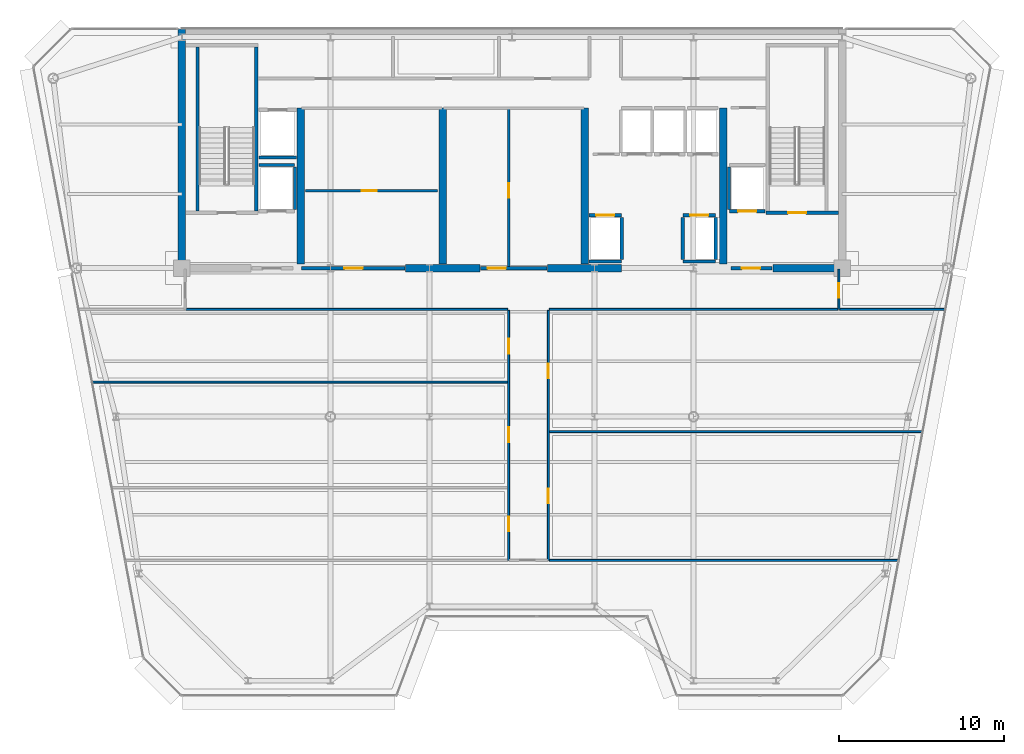
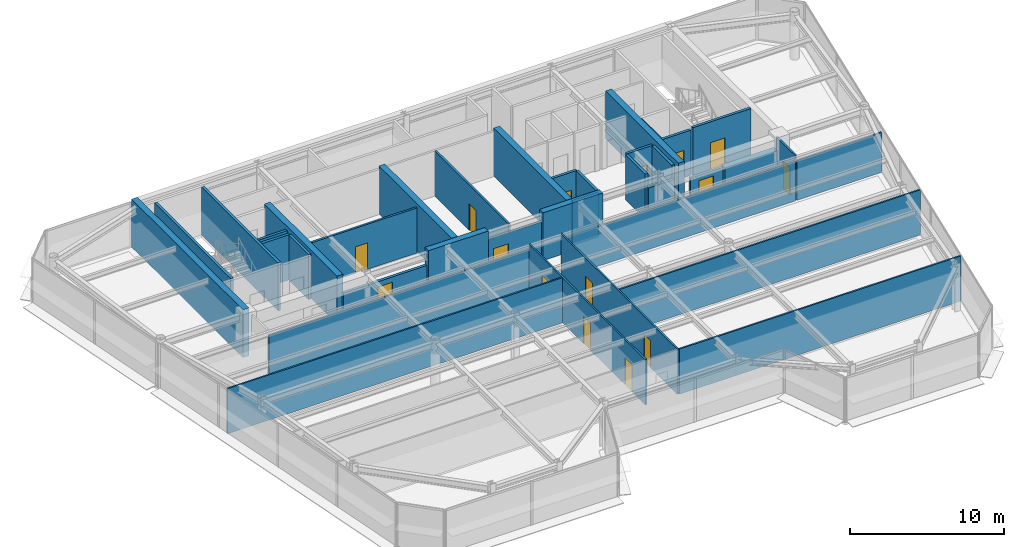
# One storey, part 10 of 18: 37 walls, 15 doors, 15 openings.
"""IFC4 building model written with IfcOpenShell, lengths in metres."""

from ifc_helpers import new_model, si_unit, direction, frame, frame_2d, origin, place, context, subcontext, project, spatial, rectangle, extrude, source, transform, mapped, material, layer, layer_set, type_object, element, fill, save


model = new_model("IFC4")

# Units and contexts
model_context = context("Model", 3, precision=1e-05, world=origin(), true_north=direction((0.0, 1.0)))
body_context = subcontext(model_context, "Body", "Model", "MODEL_VIEW")
ifc_project = project(units=[si_unit("LENGTHUNIT", "METRE"), si_unit("AREAUNIT", "SQUARE_METRE"), si_unit("VOLUMEUNIT", "CUBIC_METRE"), si_unit("PLANEANGLEUNIT", "RADIAN"), si_unit("MASSUNIT", "GRAM", prefix="KILO")], contexts=[model_context])

# Site, building, storey
site_placement = place(None, origin())
site = spatial("IfcSite", under=ifc_project, at=site_placement, CompositionType="ELEMENT")
building_placement = place(site_placement, origin())
building = spatial("IfcBuilding", under=site, at=building_placement, Name="Vaeldorn Concourse Tower", CompositionType="ELEMENT")
storey_placement = place(building_placement, frame((0.0, 0.0, 257.39990234375)))
storey = spatial("IfcBuildingStorey", under=building, at=storey_placement, Name="L66", CompositionType="ELEMENT", Elevation=257.39990234375)

# Walls
ifc_material_1 = material(Name="Concrete C50/60", Category="concrete")
ifc_layer_1 = layer(ifc_material_1, 0.449951171875)
ifc_layer_set_1 = layer_set([ifc_layer_1], Name="Concrete C50/60")
wall_type_1 = type_object("IfcWallType", Name="WL-CORE-450", PredefinedType="SHEAR", material=ifc_layer_set_1)
wall_1_placement = place(storey_placement, frame((14.0, 36.5, 0.0), z_axis=(0.0, 0.0, 1.0), x_axis=(0.0, 1.0, 0.0)))
element("IfcWall", 1, at=wall_1_placement, inside=storey, type_object=wall_type_1, Name="Rear Core Shear Wall L66 W1", PredefinedType="SHEAR", context=body_context, shape_type="SweptSolid", body=[
    extrude(rectangle(XDim=14.5, YDim=0.449951171875, at=frame_2d((7.25, 0.0))), origin(), (0.0, 0.0, 1.0), 3.800048828125),
])
for number, where, z_axis, x_axis, name in (
    (2, (27.550048828125, 36.5, 0.0), (0.0, 0.0, 1.0), (1.0, 0.0, 0.0), "Rear Core Shear Wall L66 S2"),
    (3, (36.14990234375, 36.5, 0.0), (0.0, 0.0, 1.0), (1.0, 0.0, 0.0), "Rear Core Shear Wall L66 S3"),
):
    element("IfcWall", number, at=place(storey_placement, frame(where, z_axis=z_axis, x_axis=x_axis)), inside=storey, type_object=wall_type_1, Name=name, PredefinedType="SHEAR", context=body_context, shape_type="SweptSolid", body=[
        extrude(rectangle(XDim=4.5, YDim=0.449951171875, at=frame_2d((2.25, 0.0))), origin(), (0.0, 0.0, 1.0), 3.800048828125),
    ])
wall_2_placement = place(storey_placement, frame((49.800048828125, 36.5, 0.0), z_axis=(0.0, 0.0, 1.0), x_axis=(1.0, 0.0, 0.0)))
element("IfcWall", 4, at=wall_2_placement, inside=storey, type_object=wall_type_1, Name="Rear Core Shear Wall L66 S4", PredefinedType="SHEAR", context=body_context, shape_type="SweptSolid", body=[
    extrude(rectangle(XDim=3.954833984375, YDim=0.449951171875, at=frame_2d((1.9775390625, 0.0))), origin(), (0.0, 0.0, 1.0), 2.580078125),
])
for number, where, z_axis, x_axis, name in (
    (5, (21.199951171875, 36.7451171875, 0.0), (0.0, 0.0, 1.0), (0.0, 1.0, 0.0), "Rear Core Shear Wall L66 M1"),
    (6, (29.800048828125, 36.7451171875, 0.0), (0.0, 0.0, 1.0), (0.0, 1.0, 0.0), "Rear Core Shear Wall L66 M2"),
    (7, (38.39990234375, 36.7451171875, 0.0), (0.0, 0.0, 1.0), (0.0, 1.0, 0.0), "Rear Core Shear Wall L66 M3"),
    (8, (46.800048828125, 36.7451171875, 0.0), (0.0, 0.0, 1.0), (0.0, 1.0, 0.0), "Rear Core Shear Wall L66 M4"),
):
    element("IfcWall", number, at=place(storey_placement, frame(where, z_axis=z_axis, x_axis=x_axis)), inside=storey, type_object=wall_type_1, Name=name, PredefinedType="SHEAR", context=body_context, shape_type="SweptSolid", body=[
        extrude(rectangle(XDim=9.454833984375, YDim=0.449951171875, at=frame_2d((4.7275390625, 0.0))), origin(), (0.0, 0.0, 1.0), 3.800048828125),
    ])
ifc_material_2 = material(Name="Gypsum Board Partition", Category="gypsum")
ifc_layer_2 = layer(ifc_material_2, 0.1201171875)
ifc_layer_set_2 = layer_set([ifc_layer_2], Name="Gypsum Board Partition")
wall_type_2 = type_object("IfcWallType", Name="WL-PART-120", PredefinedType="PARTITIONING", material=ifc_layer_set_2)
wall_3_placement = place(storey_placement, frame((14.260009765625, 34.0, 0.0), z_axis=(0.0, 0.0, 1.0), x_axis=(1.0, 0.0, 0.0)))
element("IfcWall", 9, at=wall_3_placement, inside=storey, type_object=wall_type_2, Name="Interior Wall PW-L66-C3SW", PredefinedType="PARTITIONING", context=body_context, shape_type="SweptSolid", body=[
    extrude(rectangle(XDim=19.47998046875, YDim=0.1201171875, at=frame_2d((9.739990234375, 0.0))), origin(), (0.0, 0.0, 1.0), 3.170166015625),
])
wall_4_placement = place(storey_placement, frame((36.260009765625, 34.0, 0.0), z_axis=(0.0, 0.0, 1.0), x_axis=(1.0, 0.0, 0.0)))
element("IfcWall", 10, at=wall_4_placement, inside=storey, type_object=wall_type_2, Name="Interior Wall PW-L66-C3SE", PredefinedType="PARTITIONING", context=body_context, shape_type="SweptSolid", body=[
    extrude(rectangle(XDim=17.47998046875, YDim=0.1201171875, at=frame_2d((8.739990234375, 0.0))), origin(), (0.0, 0.0, 1.0), 3.170166015625),
])

# Wall, opening, door
wall_5_placement = place(storey_placement, frame((53.800048828125, 34.0, 0.0), z_axis=(0.0, 0.0, 1.0), x_axis=(0.0, 1.0, 0.0)))
wall_5 = element("IfcWall", 11, at=wall_5_placement, inside=storey, type_object=wall_type_2, Name="Interior Wall PW-L66-C3E", PredefinedType="PARTITIONING", context=body_context, shape_type="SweptSolid", body=[
    extrude(rectangle(XDim=2.43994140625, YDim=0.1201171875, at=frame_2d((1.219970703125, 0.0))), origin(), (0.0, 0.0, 1.0), 3.580078125),
])
opening_1_placement = place(wall_5_placement, frame((0.699951171875, 0.0, 0.0)))
opening_1 = element("IfcOpeningElement", 12, at=opening_1_placement, cuts=wall_5, Name="Opening D-03", PredefinedType="OPENING", context=body_context, shape_type="SweptSolid", body=[
    extrude(rectangle(XDim=0.89990234375, YDim=2.14990234375, at=frame_2d((0.449951171875, 1.074951171875))), frame((0.0, 0.070068359375, 0.0), z_axis=(0.0, -1.0, 0.0), x_axis=(1.0, 0.0, 0.0)), (0.0, 0.0, 1.0), 0.14013671875),
])
ifc_material_3 = material(Name="Acoustic Bronze-Framed Glass Door", Category="glass")
door_type_1 = type_object("IfcDoorType", Name="DR-INT-900", OperationType="NOTDEFINED", PredefinedType="DOOR", material=ifc_material_3)
shared_shape_1 = source(origin(), body_context, "Body", "SweptSolid", [
    extrude(rectangle(XDim=0.89990234375, YDim=2.14990234375, at=frame_2d((0.449951171875, 1.074951171875))), frame((0.0, 0.02490234375, 0.0), z_axis=(0.0, -1.0, 0.0), x_axis=(1.0, 0.0, 0.0)), (0.0, 0.0, 1.0), 0.050048828125),
])
door_1_placement = place(opening_1_placement, origin())
door_1 = element("IfcDoor", 13, at=door_1_placement, inside=storey, type_object=door_type_1, Name="Interior Door DR-L66-Z3NE", OperationType="SINGLE_SWING_RIGHT", OverallHeight=2.14990234375, OverallWidth=0.89990234375, PredefinedType="DOOR", context=body_context, shape_type="MappedRepresentation", body=[
    mapped(shared_shape_1, transform((0.0, 0.0, 0.0), scale=1.0)),
])
fill(opening_1, door_1)

# Wall, openings, doors
wall_6_placement = place(storey_placement, frame((33.800048828125, 18.800048828125, 0.0), z_axis=(0.0, 0.0, 1.0), x_axis=(0.0, 1.0, 0.0)))
wall_6 = element("IfcWall", 14, at=wall_6_placement, inside=storey, type_object=wall_type_2, Name="Interior Wall PW-L66-CSPW", PredefinedType="PARTITIONING", context=body_context, shape_type="SweptSolid", body=[
    extrude(rectangle(XDim=15.139892578125, YDim=0.1201171875, at=frame_2d((7.56982421875, 0.0))), origin(), (0.0, 0.0, 1.0), 3.580078125),
])
opening_2_placement = place(wall_6_placement, frame((1.75, 0.0, 0.0)))
opening_2 = element("IfcOpeningElement", 15, at=opening_2_placement, cuts=wall_6, Name="Opening D-03", PredefinedType="OPENING", context=body_context, shape_type="SweptSolid", body=[
    extrude(rectangle(XDim=0.89990234375, YDim=2.14990234375, at=frame_2d((0.449951171875, 1.074951171875))), frame((0.0, 0.070068359375, 0.0), z_axis=(0.0, -1.0, 0.0), x_axis=(1.0, 0.0, 0.0)), (0.0, 0.0, 1.0), 0.14013671875),
])
opening_3_placement = place(wall_6_placement, frame((7.14990234375, 0.0, 0.0)))
opening_3 = element("IfcOpeningElement", 16, at=opening_3_placement, cuts=wall_6, Name="Opening D-03", PredefinedType="OPENING", context=body_context, shape_type="SweptSolid", body=[
    extrude(rectangle(XDim=0.89990234375, YDim=2.14990234375, at=frame_2d((0.449951171875, 1.074951171875))), frame((0.0, 0.070068359375, 0.0), z_axis=(0.0, -1.0, 0.0), x_axis=(1.0, 0.0, 0.0)), (0.0, 0.0, 1.0), 0.14013671875),
])
opening_4_placement = place(wall_6_placement, frame((12.52001953125, 0.0, 0.0)))
opening_4 = element("IfcOpeningElement", 17, at=opening_4_placement, cuts=wall_6, Name="Opening D-03", PredefinedType="OPENING", context=body_context, shape_type="SweptSolid", body=[
    extrude(rectangle(XDim=0.89990234375, YDim=2.14990234375, at=frame_2d((0.449951171875, 1.074951171875))), frame((0.0, 0.070068359375, 0.0), z_axis=(0.0, -1.0, 0.0), x_axis=(1.0, 0.0, 0.0)), (0.0, 0.0, 1.0), 0.14013671875),
])
door_2_placement = place(opening_2_placement, origin())
door_2 = element("IfcDoor", 18, at=door_2_placement, inside=storey, type_object=door_type_1, Name="Interior Door DR-L66-Z3W1", OperationType="SINGLE_SWING_LEFT", OverallHeight=2.14990234375, OverallWidth=0.89990234375, PredefinedType="DOOR", context=body_context, shape_type="MappedRepresentation", body=[
    mapped(shared_shape_1, transform((0.0, 0.0, 0.0), scale=1.0)),
])
fill(opening_2, door_2)
door_3_placement = place(opening_3_placement, origin())
door_3 = element("IfcDoor", 19, at=door_3_placement, inside=storey, type_object=door_type_1, Name="Interior Door DR-L66-Z3W2", OperationType="SINGLE_SWING_RIGHT", OverallHeight=2.14990234375, OverallWidth=0.89990234375, PredefinedType="DOOR", context=body_context, shape_type="MappedRepresentation", body=[
    mapped(shared_shape_1, transform((0.0, 0.0, 0.0), scale=1.0)),
])
fill(opening_3, door_3)
door_4_placement = place(opening_4_placement, origin())
door_4 = element("IfcDoor", 20, at=door_4_placement, inside=storey, type_object=door_type_1, Name="Interior Door DR-L66-Z3W3", OperationType="SINGLE_SWING_LEFT", OverallHeight=2.14990234375, OverallWidth=0.89990234375, PredefinedType="DOOR", context=body_context, shape_type="MappedRepresentation", body=[
    mapped(shared_shape_1, transform((0.0, 0.0, 0.0), scale=1.0)),
])
fill(opening_4, door_4)

wall_7_placement = place(storey_placement, frame((36.199951171875, 18.800048828125, 0.0), z_axis=(0.0, 0.0, 1.0), x_axis=(0.0, 1.0, 0.0)))
wall_7 = element("IfcWall", 21, at=wall_7_placement, inside=storey, type_object=wall_type_2, Name="Interior Wall PW-L66-CSPE", PredefinedType="PARTITIONING", context=body_context, shape_type="SweptSolid", body=[
    extrude(rectangle(XDim=15.139892578125, YDim=0.1201171875, at=frame_2d((7.56982421875, 0.0))), origin(), (0.0, 0.0, 1.0), 3.580078125),
])
opening_5_placement = place(wall_7_placement, frame((3.449951171875, 0.0, 0.0)))
opening_5 = element("IfcOpeningElement", 22, at=opening_5_placement, cuts=wall_7, Name="Opening D-03", PredefinedType="OPENING", context=body_context, shape_type="SweptSolid", body=[
    extrude(rectangle(XDim=0.89990234375, YDim=2.14990234375, at=frame_2d((0.449951171875, 1.074951171875))), frame((0.0, 0.070068359375, 0.0), z_axis=(0.0, -1.0, 0.0), x_axis=(1.0, 0.0, 0.0)), (0.0, 0.0, 1.0), 0.14013671875),
])
opening_6_placement = place(wall_7_placement, frame((11.02001953125, 0.0, 0.0)))
opening_6 = element("IfcOpeningElement", 23, at=opening_6_placement, cuts=wall_7, Name="Opening D-03", PredefinedType="OPENING", context=body_context, shape_type="SweptSolid", body=[
    extrude(rectangle(XDim=0.89990234375, YDim=2.14990234375, at=frame_2d((0.449951171875, 1.074951171875))), frame((0.0, 0.070068359375, 0.0), z_axis=(0.0, -1.0, 0.0), x_axis=(1.0, 0.0, 0.0)), (0.0, 0.0, 1.0), 0.14013671875),
])
door_5_placement = place(opening_5_placement, origin())
door_5 = element("IfcDoor", 24, at=door_5_placement, inside=storey, type_object=door_type_1, Name="Interior Door DR-L66-Z3E1", OperationType="SINGLE_SWING_RIGHT", OverallHeight=2.14990234375, OverallWidth=0.89990234375, PredefinedType="DOOR", context=body_context, shape_type="MappedRepresentation", body=[
    mapped(shared_shape_1, transform((0.0, 0.0, 0.0), scale=1.0)),
])
fill(opening_5, door_5)
door_6_placement = place(opening_6_placement, origin())
door_6 = element("IfcDoor", 25, at=door_6_placement, inside=storey, type_object=door_type_1, Name="Interior Door DR-L66-Z3E2", OperationType="SINGLE_SWING_LEFT", OverallHeight=2.14990234375, OverallWidth=0.89990234375, PredefinedType="DOOR", context=body_context, shape_type="MappedRepresentation", body=[
    mapped(shared_shape_1, transform((0.0, 0.0, 0.0), scale=1.0)),
])
fill(opening_6, door_6)

# Walls
wall_8_placement = place(storey_placement, frame((53.860107421875, 34.0, 0.0), z_axis=(0.0, 0.0, 1.0), x_axis=(1.0, 0.0, 0.0)))
element("IfcWall", 26, at=wall_8_placement, inside=storey, type_object=wall_type_2, Name="Interior Wall PW-L66-Z3NEB", PredefinedType="PARTITIONING", context=body_context, shape_type="SweptSolid", body=[
    extrude(rectangle(XDim=6.36279296875, YDim=0.1201171875, at=frame_2d((3.181396484375, 0.0))), origin(), (0.0, 0.0, 1.0), 3.170166015625),
])
wall_9_placement = place(storey_placement, frame((8.596435546875, 29.60009765625, 0.0), z_axis=(0.0, 0.0, 1.0), x_axis=(1.0, 0.0, 0.0)))
element("IfcWall", 27, at=wall_9_placement, inside=storey, type_object=wall_type_2, Name="Interior Wall PW-L66-Z3WY2", PredefinedType="PARTITIONING", context=body_context, shape_type="SweptSolid", body=[
    extrude(rectangle(XDim=25.1435546875, YDim=0.1201171875, at=frame_2d((12.57177734375, 0.0))), origin(), (0.0, 0.0, 1.0), 3.580078125),
])
wall_10_placement = place(storey_placement, frame((36.260009765625, 26.60009765625, 0.0), z_axis=(0.0, 0.0, 1.0), x_axis=(1.0, 0.0, 0.0)))
element("IfcWall", 28, at=wall_10_placement, inside=storey, type_object=wall_type_2, Name="Interior Wall PW-L66-Z3EY1", PredefinedType="PARTITIONING", context=body_context, shape_type="SweptSolid", body=[
    extrude(rectangle(XDim=22.5849609375, YDim=0.1201171875, at=frame_2d((11.29248046875, 0.0))), origin(), (0.0, 0.0, 1.0), 3.580078125),
])
wall_11_placement = place(storey_placement, frame((36.260009765625, 18.800048828125, 0.0), z_axis=(0.0, 0.0, 1.0), x_axis=(1.0, 0.0, 0.0)))
element("IfcWall", 29, at=wall_11_placement, inside=storey, type_object=wall_type_2, Name="Interior Wall PW-L66-Z3SEL", PredefinedType="PARTITIONING", context=body_context, shape_type="SweptSolid", body=[
    extrude(rectangle(XDim=21.132568359375, YDim=0.1201171875, at=frame_2d((10.56640625, 0.0))), origin(), (0.0, 0.0, 1.0), 3.580078125),
])

# Wall, opening, door
ifc_layer_3 = layer(ifc_material_2, 0.14990234375)
ifc_layer_set_3 = layer_set([ifc_layer_3], Name="Gypsum Board Partition")
wall_type_3 = type_object("IfcWallType", Name="WL-PART-150", PredefinedType="PARTITIONING", material=ifc_layer_set_3)
wall_12_placement = place(storey_placement, frame((21.5, 41.199951171875, 0.0), z_axis=(0.0, 0.0, 1.0), x_axis=(1.0, 0.0, 0.0)))
wall_12 = element("IfcWall", 30, at=wall_12_placement, inside=storey, type_object=wall_type_3, Name="Interior Wall CW-L66-R1M", PredefinedType="PARTITIONING", context=body_context, shape_type="SweptSolid", body=[
    extrude(rectangle(XDim=8.0, YDim=0.14990234375, at=frame_2d((4.0, 0.0))), origin(), (0.0, 0.0, 1.0), 3.580078125),
])
opening_7_placement = place(wall_12_placement, frame((3.39990234375, 0.0, 0.0)))
opening_7 = element("IfcOpeningElement", 31, at=opening_7_placement, cuts=wall_12, Name="Opening D-02", PredefinedType="OPENING", context=body_context, shape_type="SweptSolid", body=[
    extrude(rectangle(XDim=0.89990234375, YDim=2.10009765625, at=frame_2d((0.449951171875, 1.050048828125))), frame((0.0, 0.0849609375, 0.0), z_axis=(0.0, -1.0, 0.0), x_axis=(1.0, 0.0, 0.0)), (0.0, 0.0, 1.0), 0.169921875),
])
ifc_material_4 = material(Name="Fire-Rated Timber Leaf", Category="wood")
door_type_2 = type_object("IfcDoorType", Name="DR-FD30-900", OperationType="NOTDEFINED", PredefinedType="DOOR", material=ifc_material_4)
shared_shape_2 = source(origin(), body_context, "Body", "SweptSolid", [
    extrude(rectangle(XDim=0.89990234375, YDim=2.10009765625, at=frame_2d((0.449951171875, 1.050048828125))), frame((0.0, 0.02490234375, 0.0), z_axis=(0.0, -1.0, 0.0), x_axis=(1.0, 0.0, 0.0)), (0.0, 0.0, 1.0), 0.050048828125),
])
door_7_placement = place(opening_7_placement, origin())
door_7 = element("IfcDoor", 32, at=door_7_placement, inside=storey, type_object=door_type_2, Name="Interior Door DR-L66-R1M", OperationType="SINGLE_SWING_RIGHT", OverallHeight=2.10009765625, OverallWidth=0.89990234375, PredefinedType="DOOR", context=body_context, shape_type="MappedRepresentation", body=[
    mapped(shared_shape_2, transform((0.0, 0.0, 0.0), scale=1.0)),
])
fill(opening_7, door_7)

wall_13_placement = place(storey_placement, frame((33.800048828125, 36.56005859375, 0.0), z_axis=(0.0, 0.0, 1.0), x_axis=(0.0, 1.0, 0.0)))
wall_13 = element("IfcWall", 33, at=wall_13_placement, inside=storey, type_object=wall_type_3, Name="Interior Wall CW-L66-R2M", PredefinedType="PARTITIONING", context=body_context, shape_type="SweptSolid", body=[
    extrude(rectangle(XDim=9.579833984375, YDim=0.14990234375, at=frame_2d((4.7900390625, 0.0))), origin(), (0.0, 0.0, 1.0), 3.580078125),
])
opening_8_placement = place(wall_13_placement, frame((4.199951171875, 0.0, 0.0)))
opening_8 = element("IfcOpeningElement", 34, at=opening_8_placement, cuts=wall_13, Name="Opening D-02", PredefinedType="OPENING", context=body_context, shape_type="SweptSolid", body=[
    extrude(rectangle(XDim=0.89990234375, YDim=2.10009765625, at=frame_2d((0.449951171875, 1.050048828125))), frame((0.0, 0.0849609375, 0.0), z_axis=(0.0, -1.0, 0.0), x_axis=(1.0, 0.0, 0.0)), (0.0, 0.0, 1.0), 0.169921875),
])
door_8_placement = place(opening_8_placement, origin())
door_8 = element("IfcDoor", 35, at=door_8_placement, inside=storey, type_object=door_type_2, Name="Interior Door DR-L66-R2E", OperationType="SINGLE_SWING_RIGHT", OverallHeight=2.10009765625, OverallWidth=0.89990234375, PredefinedType="DOOR", context=body_context, shape_type="MappedRepresentation", body=[
    mapped(shared_shape_2, transform((0.0, 0.0, 0.0), scale=1.0)),
])
fill(opening_8, door_8)

# Walls
ifc_layer_4 = layer(ifc_material_1, 0.199951171875)
ifc_layer_set_4 = layer_set([ifc_layer_4], Name="Concrete C50/60")
wall_type_4 = type_object("IfcWallType", Name="WL-SHAFT-200", PredefinedType="SOLIDWALL", material=ifc_layer_set_4)
for number, where, z_axis, x_axis, name in (
    (36, (14.949951171875, 39.9599609375, 0.0), (0.0, 0.0, 1.0), (0.0, 1.0, 0.0), "Stair Shaft Wall CW-L66-ST-1-W"),
    (37, (18.5, 39.9599609375, 0.0), (0.0, 0.0, 1.0), (0.0, 1.0, 0.0), "Stair Shaft Wall CW-L66-ST-1-E"),
):
    element("IfcWall", number, at=place(storey_placement, frame(where, z_axis=z_axis, x_axis=x_axis)), inside=storey, type_object=wall_type_4, Name=name, PredefinedType="SOLIDWALL", context=body_context, shape_type="SweptSolid", body=[
        extrude(rectangle(XDim=9.929931640625, YDim=0.199951171875, at=frame_2d((4.96484375, 0.0))), origin(), (0.0, 0.0, 1.0), 3.800048828125),
    ])

# Wall, opening, door
wall_14_placement = place(storey_placement, frame((49.39990234375, 39.85009765625, 0.0), z_axis=(0.0, 0.0, 1.0), x_axis=(1.0, 0.0, 0.0)))
wall_14 = element("IfcWall", 38, at=wall_14_placement, inside=storey, type_object=wall_type_4, Name="Stair Shaft Wall CW-L66-ST-2-S", PredefinedType="SOLIDWALL", context=body_context, shape_type="SweptSolid", body=[
    extrude(rectangle(XDim=4.375, YDim=0.199951171875, at=frame_2d((2.1875, 0.0))), origin(), (0.0, 0.0, 1.0), 3.800048828125),
])
opening_9_placement = place(wall_14_placement, frame((1.324951171875, 0.0, 0.0)))
opening_9 = element("IfcOpeningElement", 39, at=opening_9_placement, cuts=wall_14, Name="Opening D-01", PredefinedType="OPENING", context=body_context, shape_type="SweptSolid", body=[
    extrude(rectangle(XDim=1.10009765625, YDim=2.14990234375, at=frame_2d((0.550048828125, 1.074951171875))), frame((0.0, 0.10986328125, 0.0), z_axis=(0.0, -1.0, 0.0), x_axis=(1.0, 0.0, 0.0)), (0.0, 0.0, 1.0), 0.219970703125),
])
ifc_material_5 = material(Name="Fire-Rated Timber and Steel Leaf", Category="steel")
door_type_3 = type_object("IfcDoorType", Name="DR-FD60-1100", OperationType="NOTDEFINED", PredefinedType="DOOR", material=ifc_material_5)
shared_shape_3 = source(origin(), body_context, "Body", "SweptSolid", [
    extrude(rectangle(XDim=1.10009765625, YDim=2.14990234375, at=frame_2d((0.550048828125, 1.074951171875))), frame((0.0, 0.02490234375, 0.0), z_axis=(0.0, -1.0, 0.0), x_axis=(1.0, 0.0, 0.0)), (0.0, 0.0, 1.0), 0.050048828125),
])
door_9_placement = place(opening_9_placement, origin())
door_9 = element("IfcDoor", 40, at=door_9_placement, inside=storey, type_object=door_type_3, Name="Interior Door DR-L66-ST-2", OperationType="SINGLE_SWING_RIGHT", OverallHeight=2.14990234375, OverallWidth=1.10009765625, PredefinedType="DOOR", context=body_context, shape_type="MappedRepresentation", body=[
    mapped(shared_shape_3, transform((0.0, 0.0, 0.0), scale=1.0)),
])
fill(opening_9, door_9)

wall_15_placement = place(storey_placement, frame((47.280029296875, 36.5, 0.0), z_axis=(0.0, 0.0, 1.0), x_axis=(1.0, 0.0, 0.0)))
wall_15 = element("IfcWall", 41, at=wall_15_placement, inside=storey, type_object=wall_type_4, Name="Interior Wall CW-L66-FF2S", PredefinedType="SOLIDWALL", context=body_context, shape_type="SweptSolid", body=[
    extrude(rectangle(XDim=2.469970703125, YDim=0.199951171875, at=frame_2d((1.23486328125, 0.0))), origin(), (0.0, 0.0, 1.0), 2.570068359375),
])
opening_10_placement = place(wall_15_placement, frame((0.64990234375, 0.0, 0.0)))
opening_10 = element("IfcOpeningElement", 42, at=opening_10_placement, cuts=wall_15, Name="Opening D-01", PredefinedType="OPENING", context=body_context, shape_type="SweptSolid", body=[
    extrude(rectangle(XDim=1.10009765625, YDim=2.14990234375, at=frame_2d((0.550048828125, 1.074951171875))), frame((0.0, 0.10986328125, 0.0), z_axis=(0.0, -1.0, 0.0), x_axis=(1.0, 0.0, 0.0)), (0.0, 0.0, 1.0), 0.219970703125),
])
door_10_placement = place(opening_10_placement, origin())
door_10 = element("IfcDoor", 43, at=door_10_placement, inside=storey, type_object=door_type_3, Name="Interior Door DR-L66-FF2W", OperationType="SINGLE_SWING_LEFT", OverallHeight=2.14990234375, OverallWidth=1.10009765625, PredefinedType="DOOR", context=body_context, shape_type="MappedRepresentation", body=[
    mapped(shared_shape_3, transform((0.0, 0.0, 0.0), scale=1.0)),
])
fill(opening_10, door_10)

wall_16_placement = place(storey_placement, frame((38.669921875, 39.699951171875, 0.0), z_axis=(0.0, 0.0, 1.0), x_axis=(1.0, 0.0, 0.0)))
wall_16 = element("IfcWall", 44, at=wall_16_placement, inside=storey, type_object=wall_type_4, Name="Interior Wall CW-L66-LF-LF-13", PredefinedType="SOLIDWALL", context=body_context, shape_type="SweptSolid", body=[
    extrude(rectangle(XDim=1.9599609375, YDim=0.199951171875, at=frame_2d((0.97998046875, 0.0))), origin(), (0.0, 0.0, 1.0), 3.580078125),
])
opening_11_placement = place(wall_16_placement, frame((0.429931640625, 0.0, 0.0)))
opening_11 = element("IfcOpeningElement", 45, at=opening_11_placement, cuts=wall_16, Name="Opening LD-1", PredefinedType="OPENING", context=body_context, shape_type="SweptSolid", body=[
    extrude(rectangle(XDim=1.10009765625, YDim=2.14990234375, at=frame_2d((0.550048828125, 1.074951171875))), frame((0.0, 0.10986328125, 0.0), z_axis=(0.0, -1.0, 0.0), x_axis=(1.0, 0.0, 0.0)), (0.0, 0.0, 1.0), 0.219970703125),
])
ifc_material_6 = material(Name="Anodised Bronze Aluminium", Category="aluminium")
door_type_4 = type_object("IfcDoorType", Name="DR-LIFT-SLIDE-1100", OperationType="DOUBLE_DOOR_SLIDING", PredefinedType="DOOR", material=ifc_material_6)
door_11_placement = place(opening_11_placement, origin())
door_11 = element("IfcDoor", 46, at=door_11_placement, inside=storey, type_object=door_type_4, Name="Lift Landing Door LD-L66-LF-13", OperationType="DOUBLE_DOOR_SLIDING", OverallHeight=2.14990234375, OverallWidth=1.10009765625, PredefinedType="DOOR", context=body_context, shape_type="MappedRepresentation", body=[
    mapped(shared_shape_3, transform((0.0, 0.0, 0.0), scale=1.0)),
])
fill(opening_11, door_11)

# Walls
wall_17_placement = place(storey_placement, frame((38.669921875, 36.89990234375, 0.0), z_axis=(0.0, 0.0, 1.0), x_axis=(1.0, 0.0, 0.0)))
element("IfcWall", 47, at=wall_17_placement, inside=storey, type_object=wall_type_4, Name="Interior Wall CW-L66-LFB-LF-13", PredefinedType="SOLIDWALL", context=body_context, shape_type="SweptSolid", body=[
    extrude(rectangle(XDim=1.9599609375, YDim=0.199951171875, at=frame_2d((0.97998046875, 0.0))), origin(), (0.0, 0.0, 1.0), 3.580078125),
])
wall_18_placement = place(storey_placement, frame((40.64990234375, 37.02001953125, 0.0), z_axis=(0.0, 0.0, 1.0), x_axis=(0.0, 1.0, 0.0)))
element("IfcWall", 48, at=wall_18_placement, inside=storey, type_object=wall_type_4, Name="Interior Wall CW-L66-LFE-LF-13", PredefinedType="SOLIDWALL", context=body_context, shape_type="SweptSolid", body=[
    extrude(rectangle(XDim=2.56005859375, YDim=0.199951171875, at=frame_2d((1.280029296875, 0.0))), origin(), (0.0, 0.0, 1.0), 3.580078125),
])

# Wall, opening, door
wall_19_placement = place(storey_placement, frame((44.3701171875, 39.699951171875, 0.0), z_axis=(0.0, 0.0, 1.0), x_axis=(1.0, 0.0, 0.0)))
wall_19 = element("IfcWall", 49, at=wall_19_placement, inside=storey, type_object=wall_type_4, Name="Interior Wall CW-L66-LF-LF-14", PredefinedType="SOLIDWALL", context=body_context, shape_type="SweptSolid", body=[
    extrude(rectangle(XDim=1.9599609375, YDim=0.199951171875, at=frame_2d((0.97998046875, 0.0))), origin(), (0.0, 0.0, 1.0), 3.580078125),
])
opening_12_placement = place(wall_19_placement, frame((0.429931640625, 0.0, 0.0)))
opening_12 = element("IfcOpeningElement", 50, at=opening_12_placement, cuts=wall_19, Name="Opening LD-1", PredefinedType="OPENING", context=body_context, shape_type="SweptSolid", body=[
    extrude(rectangle(XDim=1.10009765625, YDim=2.14990234375, at=frame_2d((0.550048828125, 1.074951171875))), frame((0.0, 0.10986328125, 0.0), z_axis=(0.0, -1.0, 0.0), x_axis=(1.0, 0.0, 0.0)), (0.0, 0.0, 1.0), 0.219970703125),
])
door_12_placement = place(opening_12_placement, origin())
door_12 = element("IfcDoor", 51, at=door_12_placement, inside=storey, type_object=door_type_4, Name="Lift Landing Door LD-L66-LF-14", OperationType="DOUBLE_DOOR_SLIDING", OverallHeight=2.14990234375, OverallWidth=1.10009765625, PredefinedType="DOOR", context=body_context, shape_type="MappedRepresentation", body=[
    mapped(shared_shape_3, transform((0.0, 0.0, 0.0), scale=1.0)),
])
fill(opening_12, door_12)

# Walls
wall_20_placement = place(storey_placement, frame((44.3701171875, 36.89990234375, 0.0), z_axis=(0.0, 0.0, 1.0), x_axis=(1.0, 0.0, 0.0)))
element("IfcWall", 52, at=wall_20_placement, inside=storey, type_object=wall_type_4, Name="Interior Wall CW-L66-LFB-LF-14", PredefinedType="SOLIDWALL", context=body_context, shape_type="SweptSolid", body=[
    extrude(rectangle(XDim=1.9599609375, YDim=0.199951171875, at=frame_2d((0.97998046875, 0.0))), origin(), (0.0, 0.0, 1.0), 2.570068359375),
])
for number, where, z_axis, x_axis, name in (
    (53, (44.35009765625, 37.02001953125, 0.0), (0.0, 0.0, 1.0), (0.0, 1.0, 0.0), "Interior Wall CW-L66-LFW-LF-14"),
    (54, (46.35009765625, 37.02001953125, 0.0), (0.0, 0.0, 1.0), (0.0, 1.0, 0.0), "Interior Wall CW-L66-LFE-LF-14"),
):
    element("IfcWall", number, at=place(storey_placement, frame(where, z_axis=z_axis, x_axis=x_axis)), inside=storey, type_object=wall_type_4, Name=name, PredefinedType="SOLIDWALL", context=body_context, shape_type="SweptSolid", body=[
        extrude(rectangle(XDim=2.56005859375, YDim=0.199951171875, at=frame_2d((1.280029296875, 0.0))), origin(), (0.0, 0.0, 1.0), 3.580078125),
    ])
wall_21_placement = place(storey_placement, frame((18.669921875, 43.199951171875, 0.0), z_axis=(0.0, 0.0, 1.0), x_axis=(1.0, 0.0, 0.0)))
element("IfcWall", 55, at=wall_21_placement, inside=storey, type_object=wall_type_4, Name="Interior Wall CW-L66-LFB-LF-SV1", PredefinedType="SOLIDWALL", context=body_context, shape_type="SweptSolid", body=[
    extrude(rectangle(XDim=2.260009765625, YDim=0.199951171875, at=frame_2d((1.1298828125, 0.0))), origin(), (0.0, 0.0, 1.0), 3.580078125),
])
wall_22_placement = place(storey_placement, frame((18.669921875, 42.75, 0.0), z_axis=(0.0, 0.0, 1.0), x_axis=(1.0, 0.0, 0.0)))
element("IfcWall", 56, at=wall_22_placement, inside=storey, type_object=wall_type_4, Name="Interior Wall CW-L66-LFB-LF-FF1", PredefinedType="SOLIDWALL", context=body_context, shape_type="SweptSolid", body=[
    extrude(rectangle(XDim=2.16015625, YDim=0.199951171875, at=frame_2d((1.080078125, 0.0))), origin(), (0.0, 0.0, 1.0), 3.580078125),
])
wall_23_placement = place(storey_placement, frame((20.85009765625, 40.070068359375, 0.0), z_axis=(0.0, 0.0, 1.0), x_axis=(0.0, 1.0, 0.0)))
element("IfcWall", 57, at=wall_23_placement, inside=storey, type_object=wall_type_4, Name="Interior Wall CW-L66-LFE-LF-FF1", PredefinedType="SOLIDWALL", context=body_context, shape_type="SweptSolid", body=[
    extrude(rectangle(XDim=2.559814453125, YDim=0.199951171875, at=frame_2d((1.27978515625, 0.0))), origin(), (0.0, 0.0, 1.0), 3.580078125),
])

# Wall, opening, door
wall_24_placement = place(storey_placement, frame((47.169921875, 39.949951171875, 0.0), z_axis=(0.0, 0.0, 1.0), x_axis=(1.0, 0.0, 0.0)))
wall_24 = element("IfcWall", 58, at=wall_24_placement, inside=storey, type_object=wall_type_4, Name="Interior Wall CW-L66-LF-LF-FF2", PredefinedType="SOLIDWALL", context=body_context, shape_type="SweptSolid", body=[
    extrude(rectangle(XDim=2.16015625, YDim=0.199951171875, at=frame_2d((1.080078125, 0.0))), origin(), (0.0, 0.0, 1.0), 3.580078125),
])
opening_13_placement = place(wall_24_placement, frame((0.530029296875, 0.0, 0.0)))
opening_13 = element("IfcOpeningElement", 59, at=opening_13_placement, cuts=wall_24, Name="Opening LD-1", PredefinedType="OPENING", context=body_context, shape_type="SweptSolid", body=[
    extrude(rectangle(XDim=1.10009765625, YDim=2.14990234375, at=frame_2d((0.550048828125, 1.074951171875))), frame((0.0, 0.10986328125, 0.0), z_axis=(0.0, -1.0, 0.0), x_axis=(1.0, 0.0, 0.0)), (0.0, 0.0, 1.0), 0.219970703125),
])
door_13_placement = place(opening_13_placement, origin())
door_13 = element("IfcDoor", 60, at=door_13_placement, inside=storey, type_object=door_type_4, Name="Lift Landing Door LD-L66-LF-FF2", OperationType="DOUBLE_DOOR_SLIDING", OverallHeight=2.14990234375, OverallWidth=1.10009765625, PredefinedType="DOOR", context=body_context, shape_type="MappedRepresentation", body=[
    mapped(shared_shape_3, transform((0.0, 0.0, 0.0), scale=1.0)),
])
fill(opening_13, door_13)

# Wall
wall_25_placement = place(storey_placement, frame((47.14990234375, 40.070068359375, 0.0), z_axis=(0.0, 0.0, 1.0), x_axis=(0.0, 1.0, 0.0)))
element("IfcWall", 61, at=wall_25_placement, inside=storey, type_object=wall_type_4, Name="Interior Wall CW-L66-LFW-LF-FF2", PredefinedType="SOLIDWALL", context=body_context, shape_type="SweptSolid", body=[
    extrude(rectangle(XDim=2.559814453125, YDim=0.199951171875, at=frame_2d((1.27978515625, 0.0))), origin(), (0.0, 0.0, 1.0), 3.580078125),
])

# Wall, opening, door
wall_26_placement = place(storey_placement, frame((21.25, 36.5, 0.0), z_axis=(0.0, 0.0, 1.0), x_axis=(1.0, 0.0, 0.0)))
wall_26 = element("IfcWall", 62, at=wall_26_placement, inside=storey, type_object=wall_type_4, Name="Interior Wall CW-L66-R1S", PredefinedType="SOLIDWALL", context=body_context, shape_type="SweptSolid", body=[
    extrude(rectangle(XDim=6.27001953125, YDim=0.199951171875, at=frame_2d((3.135009765625, 0.0))), origin(), (0.0, 0.0, 1.0), 2.570068359375),
])
opening_14_placement = place(wall_26_placement, frame((2.60009765625, 0.0, 0.0)))
opening_14 = element("IfcOpeningElement", 63, at=opening_14_placement, cuts=wall_26, Name="Opening D-01", PredefinedType="OPENING", context=body_context, shape_type="SweptSolid", body=[
    extrude(rectangle(XDim=1.10009765625, YDim=2.14990234375, at=frame_2d((0.550048828125, 1.074951171875))), frame((0.0, 0.10986328125, 0.0), z_axis=(0.0, -1.0, 0.0), x_axis=(1.0, 0.0, 0.0)), (0.0, 0.0, 1.0), 0.219970703125),
])
door_14_placement = place(opening_14_placement, origin())
door_14 = element("IfcDoor", 64, at=door_14_placement, inside=storey, type_object=door_type_3, Name="Interior Door DR-L66-R1S", OperationType="SINGLE_SWING_LEFT", OverallHeight=2.14990234375, OverallWidth=1.10009765625, PredefinedType="DOOR", context=body_context, shape_type="MappedRepresentation", body=[
    mapped(shared_shape_3, transform((0.0, 0.0, 0.0), scale=1.0)),
])
fill(opening_14, door_14)

wall_27_placement = place(storey_placement, frame((32.080078125, 36.5, 0.0), z_axis=(0.0, 0.0, 1.0), x_axis=(1.0, 0.0, 0.0)))
wall_27 = element("IfcWall", 65, at=wall_27_placement, inside=storey, type_object=wall_type_4, Name="Interior Wall CW-L66-R2S", PredefinedType="SOLIDWALL", context=body_context, shape_type="SweptSolid", body=[
    extrude(rectangle(XDim=4.0400390625, YDim=0.199951171875, at=frame_2d((2.02001953125, 0.0))), origin(), (0.0, 0.0, 1.0), 3.02001953125),
])
opening_15_placement = place(wall_27_placement, frame((0.449951171875, 0.0, 0.0)))
opening_15 = element("IfcOpeningElement", 66, at=opening_15_placement, cuts=wall_27, Name="Opening D-01", PredefinedType="OPENING", context=body_context, shape_type="SweptSolid", body=[
    extrude(rectangle(XDim=1.10009765625, YDim=2.14990234375, at=frame_2d((0.550048828125, 1.074951171875))), frame((0.0, 0.10986328125, 0.0), z_axis=(0.0, -1.0, 0.0), x_axis=(1.0, 0.0, 0.0)), (0.0, 0.0, 1.0), 0.219970703125),
])
door_15_placement = place(opening_15_placement, origin())
door_15 = element("IfcDoor", 67, at=door_15_placement, inside=storey, type_object=door_type_3, Name="Interior Door DR-L66-R2W", OperationType="SINGLE_SWING_LEFT", OverallHeight=2.14990234375, OverallWidth=1.10009765625, PredefinedType="DOOR", context=body_context, shape_type="MappedRepresentation", body=[
    mapped(shared_shape_3, transform((0.0, 0.0, 0.0), scale=1.0)),
])
fill(opening_15, door_15)

save(model, "model.ifc")
